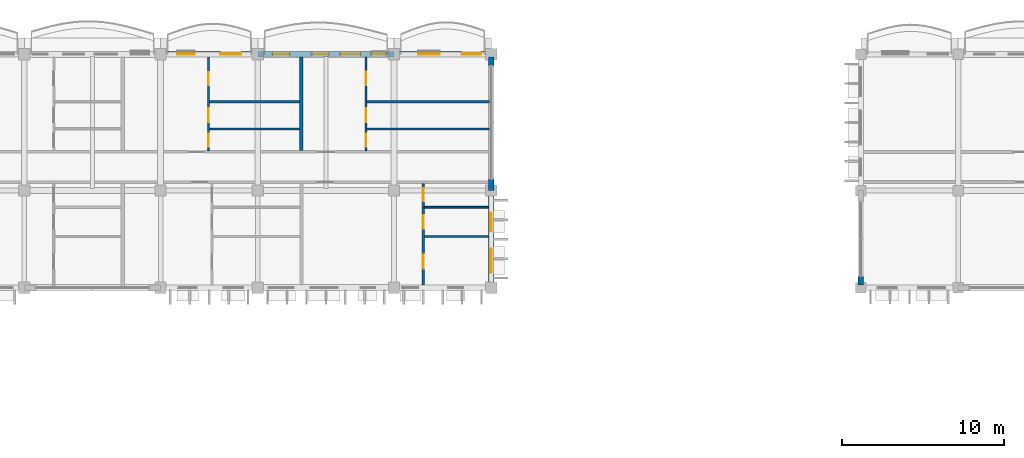
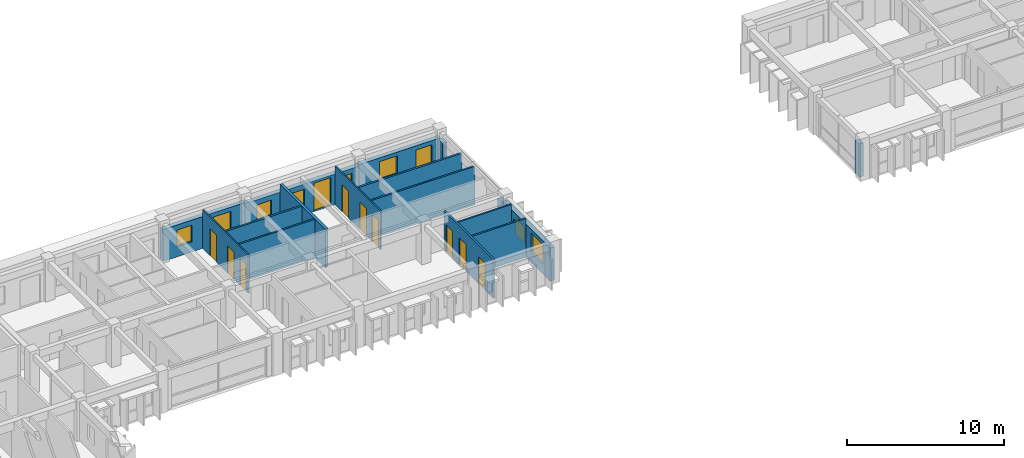
# One storey, part 34 of 76: 17 walls, 12 doors, 7 windows, 19 openings.
"""IFC4 building model written with IfcOpenShell, lengths in metres."""

from ifc_helpers import new_model, si_unit, direction, frame, frame_2d, origin, place, context, subcontext, project, spatial, rectangle, extrude, material, layer, layer_set, type_object, element, fill, save


model = new_model("IFC4")

# Units and contexts
model_context = context("Model", 3, precision=1e-05, world=origin(), true_north=direction((0.0, 1.0)))
body_context = subcontext(model_context, "Body", "Model", "MODEL_VIEW")
ifc_project = project(units=[si_unit("LENGTHUNIT", "METRE"), si_unit("AREAUNIT", "SQUARE_METRE"), si_unit("VOLUMEUNIT", "CUBIC_METRE"), si_unit("PLANEANGLEUNIT", "RADIAN"), si_unit("MASSUNIT", "GRAM", prefix="KILO"), si_unit("THERMODYNAMICTEMPERATUREUNIT", "KELVIN")], contexts=[model_context])

# Site, building, storey
site_placement = place(None, origin())
site = spatial("IfcSite", under=ifc_project, at=site_placement, CompositionType="ELEMENT")
building_placement = place(site_placement, origin())
building = spatial("IfcBuilding", under=site, at=building_placement, Name="Thalorik Housing Commons", CompositionType="ELEMENT")
storey_placement = place(building_placement, frame((0.0, 0.0, 18.0)))
storey = spatial("IfcBuildingStorey", under=building, at=storey_placement, Name="L05", CompositionType="ELEMENT", Elevation=18.0)

# Wall
ifc_material_1 = material(Name="White precast concrete C40/50", Category="concrete")
ifc_layer_1 = layer(ifc_material_1, 0.320068359375, Name="White precast concrete C40/50", Category="concrete")
ifc_layer_set_1 = layer_set([ifc_layer_1], Name="White precast concrete C40/50")
wall_type_1 = type_object("IfcWallType", Name="ARC-WAL-EXT-320", PredefinedType="STANDARD", material=ifc_layer_set_1)
wall_1_placement = place(storey_placement, frame((80.39990234375, 109.89990234375, 0.0), z_axis=(0.0, 0.0, 1.0), x_axis=(0.0, -1.0, 0.0)))
element("IfcWall", 1, at=wall_1_placement, inside=storey, type_object=wall_type_1, Name="L05 Exterior Wall WAL-PIERR-L05-B-0575", PredefinedType="STANDARD", context=body_context, shape_type="SweptSolid", body=[
    extrude(rectangle(XDim=0.537841796875, YDim=0.320068359375, at=frame_2d((0.26904296875, 0.0))), origin(), (0.0, 0.0, 1.0), 2.574951171875),
])

# Wall, openings, windows
ifc_layer_2 = layer(ifc_material_1, 0.3349609375, Name="White precast concrete C40/50", Category="concrete")
ifc_layer_set_2 = layer_set([ifc_layer_2], Name="White precast concrete C40/50")
wall_type_2 = type_object("IfcWallType", Name="ARC-WAL-EXT-335", PredefinedType="STANDARD", material=ifc_layer_set_2)
wall_2_placement = place(storey_placement, frame((57.60009765625, 109.199951171875, 0.0), z_axis=(0.0, 0.0, 1.0), x_axis=(0.0, 1.0, 0.0)))
wall_2 = element("IfcWall", 2, at=wall_2_placement, inside=storey, type_object=wall_type_2, Name="L05 Exterior Wall WAL-EXT-L05-A-0146", PredefinedType="STANDARD", context=body_context, shape_type="SweptSolid", body=[
    extrude(rectangle(XDim=6.0, YDim=0.3349609375, at=frame_2d((3.0, 0.0))), origin(), (0.0, 0.0, 1.0), 2.574951171875),
])
opening_1_placement = place(wall_2_placement, frame((0.935302734375, 0.0, 0.780029296875)))
opening_1 = element("IfcOpeningElement", 3, at=opening_1_placement, cuts=wall_2, Name="Opening W-51", PredefinedType="OPENING", context=body_context, shape_type="SweptSolid", body=[
    extrude(rectangle(XDim=1.47998046875, YDim=1.52001953125, at=frame_2d((0.739990234375, 0.760009765625))), frame((0.0, 0.177490234375, 0.0), z_axis=(0.0, -1.0, 0.0), x_axis=(1.0, 0.0, 0.0)), (0.0, 0.0, 1.0), 0.35498046875),
])
opening_2_placement = place(wall_2_placement, frame((3.490234375, 0.0, 0.780029296875)))
opening_2 = element("IfcOpeningElement", 4, at=opening_2_placement, cuts=wall_2, Name="Opening W-45", PredefinedType="OPENING", context=body_context, shape_type="SweptSolid", body=[
    extrude(rectangle(XDim=1.14990234375, YDim=1.25, at=frame_2d((0.574951171875, 0.625))), frame((0.0, 0.177490234375, 0.0), z_axis=(0.0, -1.0, 0.0), x_axis=(1.0, 0.0, 0.0)), (0.0, 0.0, 1.0), 0.35498046875),
])
ifc_material_2 = material(Name="Anodised aluminium and solar-control low-E glass", Category="aluminium")
window_type_1 = type_object("IfcWindowType", Name="ARC-WIN-45", PartitioningType="SINGLE_PANEL", PredefinedType="WINDOW", material=ifc_material_2)
window_1_placement = place(opening_2_placement, origin())
window_1 = element("IfcWindow", 5, at=window_1_placement, inside=storey, type_object=window_type_1, Name="L05 Facade Window 265", OverallHeight=1.25, OverallWidth=1.14990234375, PartitioningType="SINGLE_PANEL", PredefinedType="WINDOW", context=body_context, shape_type="SweptSolid", body=[
    extrude(rectangle(XDim=1.14990234375, YDim=1.25, at=frame_2d((0.574951171875, 0.625))), frame((0.0, 0.030029296875, 0.0), z_axis=(0.0, -1.0, 0.0), x_axis=(1.0, 0.0, 0.0)), (0.0, 0.0, 1.0), 0.06005859375),
])
fill(opening_2, window_1)
window_type_2 = type_object("IfcWindowType", Name="ARC-WIN-51", PartitioningType="SINGLE_PANEL", PredefinedType="WINDOW", material=ifc_material_2)
window_2_placement = place(opening_1_placement, origin())
window_2 = element("IfcWindow", 6, at=window_2_placement, inside=storey, type_object=window_type_2, Name="L05 Facade Window 264", OverallHeight=1.52001953125, OverallWidth=1.47998046875, PartitioningType="SINGLE_PANEL", PredefinedType="WINDOW", context=body_context, shape_type="SweptSolid", body=[
    extrude(rectangle(XDim=1.47998046875, YDim=1.52001953125, at=frame_2d((0.739990234375, 0.760009765625))), frame((0.0, 0.030029296875, 0.0), z_axis=(0.0, -1.0, 0.0), x_axis=(1.0, 0.0, 0.0)), (0.0, 0.0, 1.0), 0.06005859375),
])
fill(opening_1, window_2)

# Walls
wall_3_placement = place(storey_placement, frame((57.60009765625, 115.199951171875, 0.0), z_axis=(0.0, 0.0, 1.0), x_axis=(0.0, 1.0, 0.0)))
element("IfcWall", 7, at=wall_3_placement, inside=storey, type_object=wall_type_2, Name="L05 Exterior Wall WAL-PIERL-L05-A-0147", PredefinedType="STANDARD", context=body_context, shape_type="SweptSolid", body=[
    extrude(rectangle(XDim=0.699951171875, YDim=0.3349609375, at=frame_2d((0.35009765625, 0.0))), origin(), (0.0, 0.0, 1.0), 2.425048828125),
])
wall_4_placement = place(storey_placement, frame((57.60009765625, 122.89990234375, 0.0), z_axis=(0.0, 0.0, 1.0), x_axis=(0.0, 1.0, 0.0)))
element("IfcWall", 8, at=wall_4_placement, inside=storey, type_object=wall_type_2, Name="L05 Exterior Wall WAL-PIERR-L05-A-0147", PredefinedType="STANDARD", context=body_context, shape_type="SweptSolid", body=[
    extrude(rectangle(XDim=0.530517578125, YDim=0.3349609375, at=frame_2d((0.26513671875, 0.0))), origin(), (0.0, 0.0, 1.0), 2.425048828125),
])

# Wall, openings, door, window
wall_5_placement = place(storey_placement, frame((57.60009765625, 123.60009765625, 0.0), z_axis=(0.0, 0.0, 1.0), x_axis=(-1.0, 0.0, 0.0)))
wall_5 = element("IfcWall", 9, at=wall_5_placement, inside=storey, type_object=wall_type_2, Name="L05 Exterior Wall WAL-EXT-L05-A-0148", PredefinedType="STANDARD", context=body_context, shape_type="SweptSolid", body=[
    extrude(rectangle(XDim=6.0, YDim=0.3349609375, at=frame_2d((3.0, 0.0))), origin(), (0.0, 0.0, 1.0), 2.47509765625),
])
opening_3_placement = place(wall_5_placement, frame((0.6201171875, 0.0, 0.0)))
opening_3 = element("IfcOpeningElement", 10, at=opening_3_placement, cuts=wall_5, Name="Opening ED-0040", PredefinedType="OPENING", context=body_context, shape_type="SweptSolid", body=[
    extrude(rectangle(XDim=1.199951171875, YDim=2.14990234375, at=frame_2d((0.60009765625, 1.074951171875))), frame((0.0, 0.177490234375, 0.0), z_axis=(0.0, -1.0, 0.0), x_axis=(1.0, 0.0, 0.0)), (0.0, 0.0, 1.0), 0.35498046875),
])
opening_4_placement = place(wall_5_placement, frame((3.18994140625, 0.0, 0.780029296875)))
opening_4 = element("IfcOpeningElement", 11, at=opening_4_placement, cuts=wall_5, Name="Opening W-06", PredefinedType="OPENING", context=body_context, shape_type="SweptSolid", body=[
    extrude(rectangle(XDim=1.300048828125, YDim=1.39990234375, at=frame_2d((0.64990234375, 0.699951171875))), frame((0.0, 0.177490234375, 0.0), z_axis=(0.0, -1.0, 0.0), x_axis=(1.0, 0.0, 0.0)), (0.0, 0.0, 1.0), 0.35498046875),
])
ifc_material_3 = material(Name="Anodised aluminium and laminated safety glass", Category="aluminium")
door_type_1 = type_object("IfcDoorType", Name="ARC-DR-BAL-1200", OperationType="NOTDEFINED", PredefinedType="DOOR", material=ifc_material_3)
door_1_placement = place(opening_3_placement, frame((1.199951171875, 0.0, 0.0), z_axis=(0.0, 0.0, 1.0), x_axis=(-1.0, 0.0, 0.0)))
door_1 = element("IfcDoor", 12, at=door_1_placement, inside=storey, type_object=door_type_1, Name="L05 Block A Balcony Glazed Door", OperationType="SINGLE_SWING_LEFT", OverallHeight=2.14990234375, OverallWidth=1.199951171875, PredefinedType="DOOR", context=body_context, shape_type="SweptSolid", body=[
    extrude(rectangle(XDim=1.199951171875, YDim=2.14990234375, at=frame_2d((0.60009765625, 1.074951171875))), frame((0.0, 0.02490234375, 0.0), z_axis=(0.0, -1.0, 0.0), x_axis=(1.0, 0.0, 0.0)), (0.0, 0.0, 1.0), 0.050048828125),
])
fill(opening_3, door_1)
window_type_3 = type_object("IfcWindowType", Name="ARC-WIN-06", PartitioningType="SINGLE_PANEL", PredefinedType="WINDOW", material=ifc_material_2)
window_3_placement = place(opening_4_placement, origin())
window_3 = element("IfcWindow", 13, at=window_3_placement, inside=storey, type_object=window_type_3, Name="L05 Facade Window 266", OverallHeight=1.39990234375, OverallWidth=1.300048828125, PartitioningType="SINGLE_PANEL", PredefinedType="WINDOW", context=body_context, shape_type="SweptSolid", body=[
    extrude(rectangle(XDim=1.300048828125, YDim=1.39990234375, at=frame_2d((0.64990234375, 0.699951171875))), frame((0.0, 0.030029296875, 0.0), z_axis=(0.0, -1.0, 0.0), x_axis=(1.0, 0.0, 0.0)), (0.0, 0.0, 1.0), 0.06005859375),
])
fill(opening_4, window_3)

# Wall, openings, door, windows
wall_6_placement = place(storey_placement, frame((51.60009765625, 123.60009765625, 0.0), z_axis=(0.0, 0.0, 1.0), x_axis=(-1.0, 0.0, 0.0)))
wall_6 = element("IfcWall", 14, at=wall_6_placement, inside=storey, type_object=wall_type_2, Name="L05 Exterior Wall WAL-EXT-L05-A-0149", PredefinedType="STANDARD", context=body_context, shape_type="SweptSolid", body=[
    extrude(rectangle(XDim=8.400146484375, YDim=0.3349609375, at=frame_2d((4.2001953125, 0.0))), origin(), (0.0, 0.0, 1.0), 2.375),
])
opening_5_placement = place(wall_6_placement, frame((2.05322265625, 0.0, 0.0)))
opening_5 = element("IfcOpeningElement", 15, at=opening_5_placement, cuts=wall_6, Name="Opening ED-0041", PredefinedType="OPENING", context=body_context, shape_type="SweptSolid", body=[
    extrude(rectangle(XDim=1.25, YDim=2.199951171875, at=frame_2d((0.625, 1.10009765625))), frame((0.0, 0.177490234375, 0.0), z_axis=(0.0, -1.0, 0.0), x_axis=(1.0, 0.0, 0.0)), (0.0, 0.0, 1.0), 0.35498046875),
])
opening_6_placement = place(wall_6_placement, frame((0.506591796875, 0.0, 0.780029296875)))
opening_6 = element("IfcOpeningElement", 16, at=opening_6_placement, cuts=wall_6, Name="Opening W-01", PredefinedType="OPENING", context=body_context, shape_type="SweptSolid", body=[
    extrude(rectangle(XDim=0.89990234375, YDim=1.199951171875, at=frame_2d((0.449951171875, 0.60009765625))), frame((0.0, 0.177490234375, 0.0), z_axis=(0.0, -1.0, 0.0), x_axis=(1.0, 0.0, 0.0)), (0.0, 0.0, 1.0), 0.35498046875),
])
opening_7_placement = place(wall_6_placement, frame((4.01171875, 0.0, 0.780029296875)))
opening_7 = element("IfcOpeningElement", 17, at=opening_7_placement, cuts=wall_6, Name="Opening W-44", PredefinedType="OPENING", context=body_context, shape_type="SweptSolid", body=[
    extrude(rectangle(XDim=1.050048828125, YDim=1.199951171875, at=frame_2d((0.52490234375, 0.60009765625))), frame((0.0, 0.177490234375, 0.0), z_axis=(0.0, -1.0, 0.0), x_axis=(1.0, 0.0, 0.0)), (0.0, 0.0, 1.0), 0.35498046875),
])
opening_8_placement = place(wall_6_placement, frame((6.43994140625, 0.0, 0.780029296875)))
opening_8 = element("IfcOpeningElement", 18, at=opening_8_placement, cuts=wall_6, Name="Opening W-44", PredefinedType="OPENING", context=body_context, shape_type="SweptSolid", body=[
    extrude(rectangle(XDim=1.050048828125, YDim=1.199951171875, at=frame_2d((0.52490234375, 0.60009765625))), frame((0.0, 0.177490234375, 0.0), z_axis=(0.0, -1.0, 0.0), x_axis=(1.0, 0.0, 0.0)), (0.0, 0.0, 1.0), 0.35498046875),
])
door_type_2 = type_object("IfcDoorType", Name="ARC-DR-BAL-1250", OperationType="NOTDEFINED", PredefinedType="DOOR", material=ifc_material_3)
door_2_placement = place(opening_5_placement, frame((1.25, 0.0, 0.0), z_axis=(0.0, 0.0, 1.0), x_axis=(-1.0, 0.0, 0.0)))
door_2 = element("IfcDoor", 19, at=door_2_placement, inside=storey, type_object=door_type_2, Name="L05 Block A Balcony Glazed Door", OperationType="SINGLE_SWING_RIGHT", OverallHeight=2.199951171875, OverallWidth=1.25, PredefinedType="DOOR", context=body_context, shape_type="SweptSolid", body=[
    extrude(rectangle(XDim=1.25, YDim=2.199951171875, at=frame_2d((0.625, 1.10009765625))), frame((0.0, 0.02490234375, 0.0), z_axis=(0.0, -1.0, 0.0), x_axis=(1.0, 0.0, 0.0)), (0.0, 0.0, 1.0), 0.050048828125),
])
fill(opening_5, door_2)
window_type_4 = type_object("IfcWindowType", Name="ARC-WIN-01", PartitioningType="SINGLE_PANEL", PredefinedType="WINDOW", material=ifc_material_2)
window_4_placement = place(opening_6_placement, origin())
window_4 = element("IfcWindow", 20, at=window_4_placement, inside=storey, type_object=window_type_4, Name="L05 Facade Window 267", OverallHeight=1.199951171875, OverallWidth=0.89990234375, PartitioningType="SINGLE_PANEL", PredefinedType="WINDOW", context=body_context, shape_type="SweptSolid", body=[
    extrude(rectangle(XDim=0.89990234375, YDim=1.199951171875, at=frame_2d((0.449951171875, 0.60009765625))), frame((0.0, 0.030029296875, 0.0), z_axis=(0.0, -1.0, 0.0), x_axis=(1.0, 0.0, 0.0)), (0.0, 0.0, 1.0), 0.06005859375),
])
fill(opening_6, window_4)
window_type_5 = type_object("IfcWindowType", Name="ARC-WIN-44", PartitioningType="SINGLE_PANEL", PredefinedType="WINDOW", material=ifc_material_2)
window_5_placement = place(opening_7_placement, origin())
window_5 = element("IfcWindow", 21, at=window_5_placement, inside=storey, type_object=window_type_5, Name="L05 Facade Window 268", OverallHeight=1.199951171875, OverallWidth=1.050048828125, PartitioningType="SINGLE_PANEL", PredefinedType="WINDOW", context=body_context, shape_type="SweptSolid", body=[
    extrude(rectangle(XDim=1.050048828125, YDim=1.199951171875, at=frame_2d((0.52490234375, 0.60009765625))), frame((0.0, 0.030029296875, 0.0), z_axis=(0.0, -1.0, 0.0), x_axis=(1.0, 0.0, 0.0)), (0.0, 0.0, 1.0), 0.06005859375),
])
fill(opening_7, window_5)
window_6_placement = place(opening_8_placement, origin())
window_6 = element("IfcWindow", 22, at=window_6_placement, inside=storey, type_object=window_type_5, Name="L05 Facade Window 269", OverallHeight=1.199951171875, OverallWidth=1.050048828125, PartitioningType="SINGLE_PANEL", PredefinedType="WINDOW", context=body_context, shape_type="SweptSolid", body=[
    extrude(rectangle(XDim=1.050048828125, YDim=1.199951171875, at=frame_2d((0.52490234375, 0.60009765625))), frame((0.0, 0.030029296875, 0.0), z_axis=(0.0, -1.0, 0.0), x_axis=(1.0, 0.0, 0.0)), (0.0, 0.0, 1.0), 0.06005859375),
])
fill(opening_8, window_6)

# Wall, openings, door, window
wall_7_placement = place(storey_placement, frame((43.199951171875, 123.60009765625, 0.0), z_axis=(0.0, 0.0, 1.0), x_axis=(-1.0, 0.0, 0.0)))
wall_7 = element("IfcWall", 23, at=wall_7_placement, inside=storey, type_object=wall_type_2, Name="L05 Exterior Wall WAL-EXT-L05-A-0150", PredefinedType="STANDARD", context=body_context, shape_type="SweptSolid", body=[
    extrude(rectangle(XDim=6.0, YDim=0.3349609375, at=frame_2d((3.0, 0.0))), origin(), (0.0, 0.0, 1.0), 2.47509765625),
])
opening_9_placement = place(wall_7_placement, frame((1.017578125, 0.0, 0.0)))
opening_9 = element("IfcOpeningElement", 24, at=opening_9_placement, cuts=wall_7, Name="Opening ED-0042", PredefinedType="OPENING", context=body_context, shape_type="SweptSolid", body=[
    extrude(rectangle(XDim=1.300048828125, YDim=2.14990234375, at=frame_2d((0.64990234375, 1.074951171875))), frame((0.0, 0.177490234375, 0.0), z_axis=(0.0, -1.0, 0.0), x_axis=(1.0, 0.0, 0.0)), (0.0, 0.0, 1.0), 0.35498046875),
])
opening_10_placement = place(wall_7_placement, frame((3.877685546875, 0.0, 0.780029296875)))
opening_10 = element("IfcOpeningElement", 25, at=opening_10_placement, cuts=wall_7, Name="Opening W-03", PredefinedType="OPENING", context=body_context, shape_type="SweptSolid", body=[
    extrude(rectangle(XDim=1.10009765625, YDim=1.300048828125, at=frame_2d((0.550048828125, 0.64990234375))), frame((0.0, 0.177490234375, 0.0), z_axis=(0.0, -1.0, 0.0), x_axis=(1.0, 0.0, 0.0)), (0.0, 0.0, 1.0), 0.35498046875),
])
door_type_3 = type_object("IfcDoorType", Name="ARC-DR-BAL-1300", OperationType="NOTDEFINED", PredefinedType="DOOR", material=ifc_material_3)
door_3_placement = place(opening_9_placement, frame((1.300048828125, 0.0, 0.0), z_axis=(0.0, 0.0, 1.0), x_axis=(-1.0, 0.0, 0.0)))
door_3 = element("IfcDoor", 26, at=door_3_placement, inside=storey, type_object=door_type_3, Name="L05 Block A Balcony Glazed Door", OperationType="SINGLE_SWING_LEFT", OverallHeight=2.14990234375, OverallWidth=1.300048828125, PredefinedType="DOOR", context=body_context, shape_type="SweptSolid", body=[
    extrude(rectangle(XDim=1.300048828125, YDim=2.14990234375, at=frame_2d((0.64990234375, 1.074951171875))), frame((0.0, 0.02490234375, 0.0), z_axis=(0.0, -1.0, 0.0), x_axis=(1.0, 0.0, 0.0)), (0.0, 0.0, 1.0), 0.050048828125),
])
fill(opening_9, door_3)
window_type_6 = type_object("IfcWindowType", Name="ARC-WIN-03", PartitioningType="SINGLE_PANEL", PredefinedType="WINDOW", material=ifc_material_2)
window_7_placement = place(opening_10_placement, origin())
window_7 = element("IfcWindow", 27, at=window_7_placement, inside=storey, type_object=window_type_6, Name="L05 Facade Window 270", OverallHeight=1.300048828125, OverallWidth=1.10009765625, PartitioningType="SINGLE_PANEL", PredefinedType="WINDOW", context=body_context, shape_type="SweptSolid", body=[
    extrude(rectangle(XDim=1.10009765625, YDim=1.300048828125, at=frame_2d((0.550048828125, 0.64990234375))), frame((0.0, 0.030029296875, 0.0), z_axis=(0.0, -1.0, 0.0), x_axis=(1.0, 0.0, 0.0)), (0.0, 0.0, 1.0), 0.06005859375),
])
fill(opening_10, window_7)

# Wall, openings, doors
ifc_material_4 = material(Name="Gypsum light stud partition", Category="masonry")
ifc_layer_3 = layer(ifc_material_4, 0.10009765625, Name="Gypsum light stud partition", Category="masonry")
ifc_layer_set_3 = layer_set([ifc_layer_3], Name="Gypsum light stud partition")
wall_type_3 = type_object("IfcWallType", Name="ARC-WAL-PART-100", PredefinedType="PARTITIONING", material=ifc_layer_set_3)
wall_8_placement = place(storey_placement, frame((40.15478515625, 117.656982421875, 0.0), z_axis=(0.0, 0.0, 1.0), x_axis=(0.0, 1.0, 0.0)))
wall_8 = element("IfcWall", 28, at=wall_8_placement, inside=storey, type_object=wall_type_3, Name="L05 Unit 2B Spine Partition", PredefinedType="PARTITIONING", context=body_context, shape_type="SweptSolid", body=[
    extrude(rectangle(XDim=5.7734375, YDim=0.10009765625, at=frame_2d((2.88671875, 0.0))), origin(), (0.0, 0.0, 1.0), 3.0),
])
opening_11_placement = place(wall_8_placement, frame((0.23828125, 0.0, 0.0)))
opening_11 = element("IfcOpeningElement", 29, at=opening_11_placement, cuts=wall_8, Name="Opening ID-0606", PredefinedType="OPENING", context=body_context, shape_type="SweptSolid", body=[
    extrude(rectangle(XDim=0.800048828125, YDim=2.10009765625, at=frame_2d((0.39990234375, 1.050048828125))), frame((0.0, 0.06005859375, 0.0), z_axis=(0.0, -1.0, 0.0), x_axis=(1.0, 0.0, 0.0)), (0.0, 0.0, 1.0), 0.1201171875),
])
opening_12_placement = place(wall_8_placement, frame((1.7626953125, 0.0, 0.0)))
opening_12 = element("IfcOpeningElement", 30, at=opening_12_placement, cuts=wall_8, Name="Opening ID-0607", PredefinedType="OPENING", context=body_context, shape_type="SweptSolid", body=[
    extrude(rectangle(XDim=0.85009765625, YDim=2.10009765625, at=frame_2d((0.425048828125, 1.050048828125))), frame((0.0, 0.06005859375, 0.0), z_axis=(0.0, -1.0, 0.0), x_axis=(1.0, 0.0, 0.0)), (0.0, 0.0, 1.0), 0.1201171875),
])
opening_13_placement = place(wall_8_placement, frame((4.027587890625, 0.0, 0.0)))
opening_13 = element("IfcOpeningElement", 31, at=opening_13_placement, cuts=wall_8, Name="Opening ID-0608", PredefinedType="OPENING", context=body_context, shape_type="SweptSolid", body=[
    extrude(rectangle(XDim=0.820068359375, YDim=2.080078125, at=frame_2d((0.41015625, 1.0400390625))), frame((0.0, 0.06005859375, 0.0), z_axis=(0.0, -1.0, 0.0), x_axis=(1.0, 0.0, 0.0)), (0.0, 0.0, 1.0), 0.1201171875),
])
ifc_material_5 = material(Name="Moisture-resistant timber", Category="wood")
door_type_4 = type_object("IfcDoorType", Name="ARC-DR-INT-800", OperationType="NOTDEFINED", PredefinedType="DOOR", material=ifc_material_5)
door_4_placement = place(opening_11_placement, origin())
door_4 = element("IfcDoor", 32, at=door_4_placement, inside=storey, type_object=door_type_4, Name="L05 Flat Bathroom Door", OperationType="SINGLE_SWING_LEFT", OverallHeight=2.10009765625, OverallWidth=0.800048828125, PredefinedType="DOOR", context=body_context, shape_type="SweptSolid", body=[
    extrude(rectangle(XDim=0.800048828125, YDim=2.10009765625, at=frame_2d((0.39990234375, 1.050048828125))), frame((0.0, 0.02490234375, 0.0), z_axis=(0.0, -1.0, 0.0), x_axis=(1.0, 0.0, 0.0)), (0.0, 0.0, 1.0), 0.050048828125),
])
fill(opening_11, door_4)
ifc_material_6 = material(Name="Engineered oak timber", Category="wood")
door_type_5 = type_object("IfcDoorType", Name="ARC-DR-INT-820", OperationType="NOTDEFINED", PredefinedType="DOOR", material=ifc_material_6)
door_5_placement = place(opening_13_placement, origin())
door_5 = element("IfcDoor", 33, at=door_5_placement, inside=storey, type_object=door_type_5, Name="L05 Master Bedroom Door", OperationType="SINGLE_SWING_LEFT", OverallHeight=2.080078125, OverallWidth=0.820068359375, PredefinedType="DOOR", context=body_context, shape_type="SweptSolid", body=[
    extrude(rectangle(XDim=0.820068359375, YDim=2.080078125, at=frame_2d((0.41015625, 1.0400390625))), frame((0.0, 0.02490234375, 0.0), z_axis=(0.0, -1.0, 0.0), x_axis=(1.0, 0.0, 0.0)), (0.0, 0.0, 1.0), 0.050048828125),
])
fill(opening_13, door_5)
door_type_6 = type_object("IfcDoorType", Name="ARC-DR-INT-850", OperationType="NOTDEFINED", PredefinedType="DOOR", material=ifc_material_6)
door_6_placement = place(opening_12_placement, origin())
door_6 = element("IfcDoor", 34, at=door_6_placement, inside=storey, type_object=door_type_6, Name="L05 Galley Kitchen Door", OperationType="SINGLE_SWING_RIGHT", OverallHeight=2.10009765625, OverallWidth=0.85009765625, PredefinedType="DOOR", context=body_context, shape_type="SweptSolid", body=[
    extrude(rectangle(XDim=0.85009765625, YDim=2.10009765625, at=frame_2d((0.425048828125, 1.050048828125))), frame((0.0, 0.02490234375, 0.0), z_axis=(0.0, -1.0, 0.0), x_axis=(1.0, 0.0, 0.0)), (0.0, 0.0, 1.0), 0.050048828125),
])
fill(opening_12, door_6)

wall_9_placement = place(storey_placement, frame((49.876708984375, 117.656982421875, 0.0), z_axis=(0.0, 0.0, 1.0), x_axis=(0.0, 1.0, 0.0)))
wall_9 = element("IfcWall", 35, at=wall_9_placement, inside=storey, type_object=wall_type_3, Name="L05 Unit 3B Spine Partition", PredefinedType="PARTITIONING", context=body_context, shape_type="SweptSolid", body=[
    extrude(rectangle(XDim=5.7734375, YDim=0.10009765625, at=frame_2d((2.88671875, 0.0))), origin(), (0.0, 0.0, 1.0), 3.0),
])
opening_14_placement = place(wall_9_placement, frame((0.23828125, 0.0, 0.0)))
opening_14 = element("IfcOpeningElement", 36, at=opening_14_placement, cuts=wall_9, Name="Opening ID-0612", PredefinedType="OPENING", context=body_context, shape_type="SweptSolid", body=[
    extrude(rectangle(XDim=0.800048828125, YDim=2.10009765625, at=frame_2d((0.39990234375, 1.050048828125))), frame((0.0, 0.06005859375, 0.0), z_axis=(0.0, -1.0, 0.0), x_axis=(1.0, 0.0, 0.0)), (0.0, 0.0, 1.0), 0.1201171875),
])
opening_15_placement = place(wall_9_placement, frame((1.7626953125, 0.0, 0.0)))
opening_15 = element("IfcOpeningElement", 37, at=opening_15_placement, cuts=wall_9, Name="Opening ID-0613", PredefinedType="OPENING", context=body_context, shape_type="SweptSolid", body=[
    extrude(rectangle(XDim=0.85009765625, YDim=2.10009765625, at=frame_2d((0.425048828125, 1.050048828125))), frame((0.0, 0.06005859375, 0.0), z_axis=(0.0, -1.0, 0.0), x_axis=(1.0, 0.0, 0.0)), (0.0, 0.0, 1.0), 0.1201171875),
])
opening_16_placement = place(wall_9_placement, frame((4.027587890625, 0.0, 0.0)))
opening_16 = element("IfcOpeningElement", 38, at=opening_16_placement, cuts=wall_9, Name="Opening ID-0614", PredefinedType="OPENING", context=body_context, shape_type="SweptSolid", body=[
    extrude(rectangle(XDim=0.85009765625, YDim=2.10009765625, at=frame_2d((0.425048828125, 1.050048828125))), frame((0.0, 0.06005859375, 0.0), z_axis=(0.0, -1.0, 0.0), x_axis=(1.0, 0.0, 0.0)), (0.0, 0.0, 1.0), 0.1201171875),
])
door_7_placement = place(opening_14_placement, origin())
door_7 = element("IfcDoor", 39, at=door_7_placement, inside=storey, type_object=door_type_4, Name="L05 Flat Bathroom Door", OperationType="SINGLE_SWING_LEFT", OverallHeight=2.10009765625, OverallWidth=0.800048828125, PredefinedType="DOOR", context=body_context, shape_type="SweptSolid", body=[
    extrude(rectangle(XDim=0.800048828125, YDim=2.10009765625, at=frame_2d((0.39990234375, 1.050048828125))), frame((0.0, 0.02490234375, 0.0), z_axis=(0.0, -1.0, 0.0), x_axis=(1.0, 0.0, 0.0)), (0.0, 0.0, 1.0), 0.050048828125),
])
fill(opening_14, door_7)
door_8_placement = place(opening_15_placement, origin())
door_8 = element("IfcDoor", 40, at=door_8_placement, inside=storey, type_object=door_type_6, Name="L05 Eat-In Kitchen Door", OperationType="SINGLE_SWING_RIGHT", OverallHeight=2.10009765625, OverallWidth=0.85009765625, PredefinedType="DOOR", context=body_context, shape_type="SweptSolid", body=[
    extrude(rectangle(XDim=0.85009765625, YDim=2.10009765625, at=frame_2d((0.425048828125, 1.050048828125))), frame((0.0, 0.02490234375, 0.0), z_axis=(0.0, -1.0, 0.0), x_axis=(1.0, 0.0, 0.0)), (0.0, 0.0, 1.0), 0.050048828125),
])
fill(opening_15, door_8)
door_9_placement = place(opening_16_placement, origin())
door_9 = element("IfcDoor", 41, at=door_9_placement, inside=storey, type_object=door_type_6, Name="L05 Master Bedroom Door", OperationType="SINGLE_SWING_LEFT", OverallHeight=2.10009765625, OverallWidth=0.85009765625, PredefinedType="DOOR", context=body_context, shape_type="SweptSolid", body=[
    extrude(rectangle(XDim=0.85009765625, YDim=2.10009765625, at=frame_2d((0.425048828125, 1.050048828125))), frame((0.0, 0.02490234375, 0.0), z_axis=(0.0, -1.0, 0.0), x_axis=(1.0, 0.0, 0.0)), (0.0, 0.0, 1.0), 0.050048828125),
])
fill(opening_16, door_9)

# Walls
ifc_material_7 = material(Name="Gypsum moisture-resistant partition", Category="masonry")
ifc_layer_4 = layer(ifc_material_7, 0.114990234375, Name="Gypsum moisture-resistant partition", Category="masonry")
ifc_layer_set_4 = layer_set([ifc_layer_4], Name="Gypsum moisture-resistant partition")
wall_type_4 = type_object("IfcWallType", Name="ARC-WAL-PART-115", PredefinedType="PARTITIONING", material=ifc_layer_set_4)
wall_10_placement = place(storey_placement, frame((53.48193359375, 114.169677734375, 0.0), z_axis=(0.0, 0.0, 1.0), x_axis=(1.0, 0.0, 0.0)))
element("IfcWall", 42, at=wall_10_placement, inside=storey, type_object=wall_type_4, Name="L05 Unit 3 Wet Wall", PredefinedType="PARTITIONING", context=body_context, shape_type="SweptSolid", body=[
    extrude(rectangle(XDim=3.948486328125, YDim=0.114990234375, at=frame_2d((1.97412109375, 0.0))), origin(), (0.0, 0.0, 1.0), 3.0),
])
ifc_material_8 = material(Name="Gypsum acoustic stud partition", Category="masonry")
ifc_layer_5 = layer(ifc_material_8, 0.125, Name="Gypsum acoustic stud partition", Category="masonry")
ifc_layer_set_5 = layer_set([ifc_layer_5], Name="Gypsum acoustic stud partition")
wall_type_5 = type_object("IfcWallType", Name="ARC-WAL-PART-125", PredefinedType="PARTITIONING", material=ifc_layer_set_5)
wall_11_placement = place(storey_placement, frame((40.206787109375, 119.010498046875, 0.0), z_axis=(0.0, 0.0, 1.0), x_axis=(1.0, 0.0, 0.0)))
element("IfcWall", 43, at=wall_11_placement, inside=storey, type_object=wall_type_5, Name="L05 Unit 2B Wet Wall", PredefinedType="PARTITIONING", context=body_context, shape_type="SweptSolid", body=[
    extrude(rectangle(XDim=5.5712890625, YDim=0.125, at=frame_2d((2.78564453125, 0.0))), origin(), (0.0, 0.0, 1.0), 3.0),
])
wall_12_placement = place(storey_placement, frame((53.48193359375, 112.36083984375, 0.0), z_axis=(0.0, 0.0, 1.0), x_axis=(1.0, 0.0, 0.0)))
element("IfcWall", 44, at=wall_12_placement, inside=storey, type_object=wall_type_5, Name="L05 Unit 3 Bedroom Partition", PredefinedType="PARTITIONING", context=body_context, shape_type="SweptSolid", body=[
    extrude(rectangle(XDim=3.948486328125, YDim=0.125, at=frame_2d((1.97412109375, 0.0))), origin(), (0.0, 0.0, 1.0), 3.0),
])
wall_13_placement = place(storey_placement, frame((49.9287109375, 119.010498046875, 0.0), z_axis=(0.0, 0.0, 1.0), x_axis=(1.0, 0.0, 0.0)))
element("IfcWall", 45, at=wall_13_placement, inside=storey, type_object=wall_type_5, Name="L05 Unit 3B Wet Wall", PredefinedType="PARTITIONING", context=body_context, shape_type="SweptSolid", body=[
    extrude(rectangle(XDim=7.611328125, YDim=0.125, at=frame_2d((3.8056640625, 0.0))), origin(), (0.0, 0.0, 1.0), 3.0),
])
ifc_material_9 = material(Name="Ceramic masonry partition wall", Category="masonry")
ifc_layer_6 = layer(ifc_material_9, 0.139892578125, Name="Ceramic masonry partition wall", Category="masonry")
ifc_layer_set_6 = layer_set([ifc_layer_6], Name="Ceramic masonry partition wall")
wall_type_6 = type_object("IfcWallType", Name="ARC-WAL-PART-140", PredefinedType="PARTITIONING", material=ifc_layer_set_6)
wall_14_placement = place(storey_placement, frame((40.206787109375, 120.67919921875, 0.0), z_axis=(0.0, 0.0, 1.0), x_axis=(1.0, 0.0, 0.0)))
element("IfcWall", 46, at=wall_14_placement, inside=storey, type_object=wall_type_6, Name="L05 Unit 2B Bedroom Partition", PredefinedType="PARTITIONING", context=body_context, shape_type="SweptSolid", body=[
    extrude(rectangle(XDim=5.5712890625, YDim=0.139892578125, at=frame_2d((2.78564453125, 0.0))), origin(), (0.0, 0.0, 1.0), 3.0),
])

# Wall, openings, doors
wall_15_placement = place(storey_placement, frame((53.409912109375, 109.369384765625, 0.0), z_axis=(0.0, 0.0, 1.0), x_axis=(0.0, 1.0, 0.0)))
wall_15 = element("IfcWall", 47, at=wall_15_placement, inside=storey, type_object=wall_type_6, Name="L05 Unit 3 Spine Partition", PredefinedType="PARTITIONING", context=body_context, shape_type="SweptSolid", body=[
    extrude(rectangle(XDim=6.26611328125, YDim=0.139892578125, at=frame_2d((3.133056640625, 0.0))), origin(), (0.0, 0.0, 1.0), 3.0),
])
opening_17_placement = place(wall_15_placement, frame((1.015869140625, 0.0, 0.0)))
opening_17 = element("IfcOpeningElement", 48, at=opening_17_placement, cuts=wall_15, Name="Opening ID-0609", PredefinedType="OPENING", context=body_context, shape_type="SweptSolid", body=[
    extrude(rectangle(XDim=0.85009765625, YDim=2.10009765625, at=frame_2d((0.425048828125, 1.050048828125))), frame((0.0, 0.080078125, 0.0), z_axis=(0.0, -1.0, 0.0), x_axis=(1.0, 0.0, 0.0)), (0.0, 0.0, 1.0), 0.159912109375),
])
opening_18_placement = place(wall_15_placement, frame((3.470703125, 0.0, 0.0)))
opening_18 = element("IfcOpeningElement", 49, at=opening_18_placement, cuts=wall_15, Name="Opening ID-0610", PredefinedType="OPENING", context=body_context, shape_type="SweptSolid", body=[
    extrude(rectangle(XDim=0.85009765625, YDim=2.10009765625, at=frame_2d((0.425048828125, 1.050048828125))), frame((0.0, 0.080078125, 0.0), z_axis=(0.0, -1.0, 0.0), x_axis=(1.0, 0.0, 0.0)), (0.0, 0.0, 1.0), 0.159912109375),
])
opening_19_placement = place(wall_15_placement, frame((5.17529296875, 0.0, 0.0)))
opening_19 = element("IfcOpeningElement", 50, at=opening_19_placement, cuts=wall_15, Name="Opening ID-0611", PredefinedType="OPENING", context=body_context, shape_type="SweptSolid", body=[
    extrude(rectangle(XDim=0.800048828125, YDim=2.10009765625, at=frame_2d((0.39990234375, 1.050048828125))), frame((0.0, 0.080078125, 0.0), z_axis=(0.0, -1.0, 0.0), x_axis=(1.0, 0.0, 0.0)), (0.0, 0.0, 1.0), 0.159912109375),
])
door_10_placement = place(opening_19_placement, origin())
door_10 = element("IfcDoor", 51, at=door_10_placement, inside=storey, type_object=door_type_4, Name="L05 Accessible Bathroom Door", OperationType="SINGLE_SWING_RIGHT", OverallHeight=2.10009765625, OverallWidth=0.800048828125, PredefinedType="DOOR", context=body_context, shape_type="SweptSolid", body=[
    extrude(rectangle(XDim=0.800048828125, YDim=2.10009765625, at=frame_2d((0.39990234375, 1.050048828125))), frame((0.0, 0.02490234375, 0.0), z_axis=(0.0, -1.0, 0.0), x_axis=(1.0, 0.0, 0.0)), (0.0, 0.0, 1.0), 0.050048828125),
])
fill(opening_19, door_10)
door_11_placement = place(opening_17_placement, origin())
door_11 = element("IfcDoor", 52, at=door_11_placement, inside=storey, type_object=door_type_6, Name="L05 Double Bedroom Door", OperationType="SINGLE_SWING_RIGHT", OverallHeight=2.10009765625, OverallWidth=0.85009765625, PredefinedType="DOOR", context=body_context, shape_type="SweptSolid", body=[
    extrude(rectangle(XDim=0.85009765625, YDim=2.10009765625, at=frame_2d((0.425048828125, 1.050048828125))), frame((0.0, 0.02490234375, 0.0), z_axis=(0.0, -1.0, 0.0), x_axis=(1.0, 0.0, 0.0)), (0.0, 0.0, 1.0), 0.050048828125),
])
fill(opening_17, door_11)
door_12_placement = place(opening_18_placement, origin())
door_12 = element("IfcDoor", 53, at=door_12_placement, inside=storey, type_object=door_type_6, Name="L05 Eat-In Kitchen Door", OperationType="SINGLE_SWING_LEFT", OverallHeight=2.10009765625, OverallWidth=0.85009765625, PredefinedType="DOOR", context=body_context, shape_type="SweptSolid", body=[
    extrude(rectangle(XDim=0.85009765625, YDim=2.10009765625, at=frame_2d((0.425048828125, 1.050048828125))), frame((0.0, 0.02490234375, 0.0), z_axis=(0.0, -1.0, 0.0), x_axis=(1.0, 0.0, 0.0)), (0.0, 0.0, 1.0), 0.050048828125),
])
fill(opening_18, door_12)

# Walls
wall_16_placement = place(storey_placement, frame((49.9287109375, 120.67919921875, 0.0), z_axis=(0.0, 0.0, 1.0), x_axis=(1.0, 0.0, 0.0)))
element("IfcWall", 54, at=wall_16_placement, inside=storey, type_object=wall_type_6, Name="L05 Unit 3B Bedroom Partition", PredefinedType="PARTITIONING", context=body_context, shape_type="SweptSolid", body=[
    extrude(rectangle(XDim=7.611328125, YDim=0.139892578125, at=frame_2d((3.8056640625, 0.0))), origin(), (0.0, 0.0, 1.0), 3.0),
])
ifc_material_10 = material(Name="Precast concrete C40/50 acoustic wall", Category="concrete")
ifc_layer_7 = layer(ifc_material_10, 0.199951171875, Name="Precast concrete C40/50 acoustic wall", Category="concrete")
ifc_layer_set_7 = layer_set([ifc_layer_7], Name="Precast concrete C40/50 acoustic wall")
wall_type_7 = type_object("IfcWallType", Name="ARC-WAL-PARTY-200", PredefinedType="PARTITIONING", material=ifc_layer_set_7)
wall_17_placement = place(storey_placement, frame((45.8798828125, 117.656982421875, 0.0), z_axis=(0.0, 0.0, 1.0), x_axis=(0.0, 1.0, 0.0)))
element("IfcWall", 55, at=wall_17_placement, inside=storey, type_object=wall_type_7, Name="L05 Inter-Tenancy Wall 2B", PredefinedType="PARTITIONING", context=body_context, shape_type="SweptSolid", body=[
    extrude(rectangle(XDim=5.7734375, YDim=0.199951171875, at=frame_2d((2.88671875, 0.0))), origin(), (0.0, 0.0, 1.0), 3.0),
])

save(model, "model.ifc")
